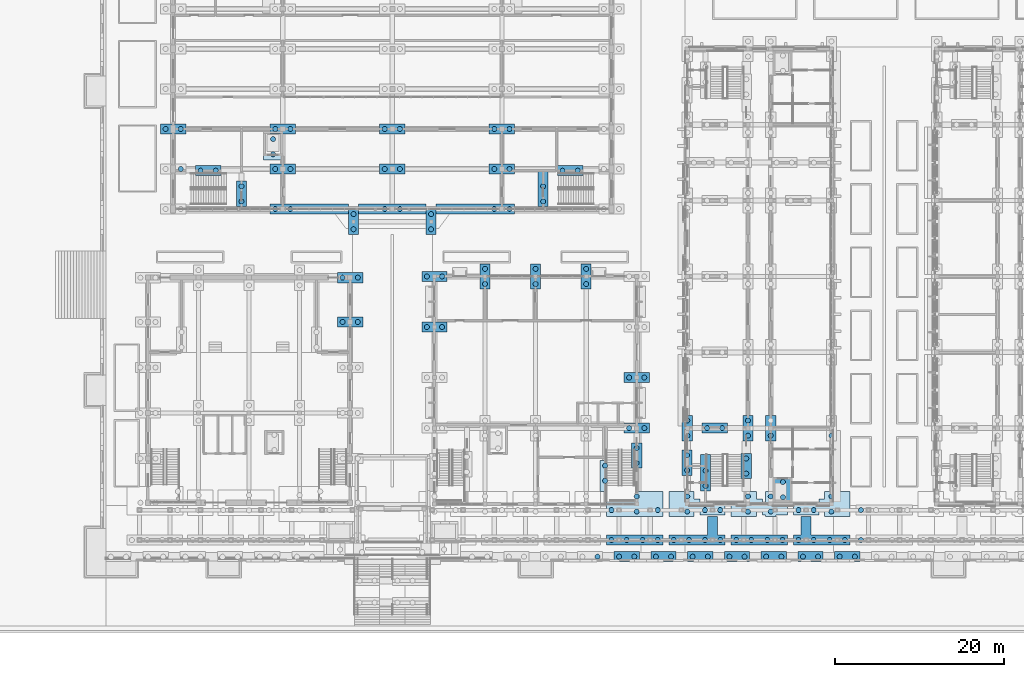
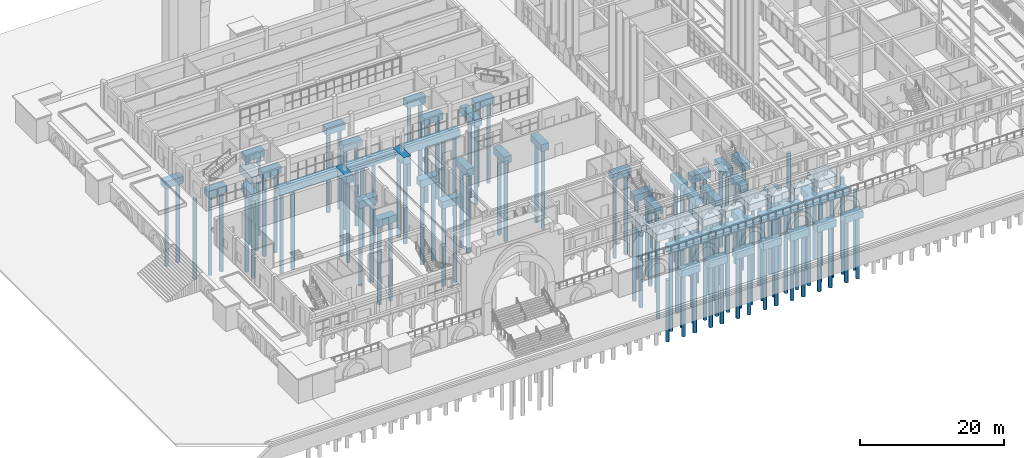
# One storey, part 2 of 161: 122 piles, 50 footings.
"""IFC4 building model written with IfcOpenShell, lengths in metres."""

from ifc_helpers import new_model, si_unit, direction, frame, origin, origin_2d, place, context, subcontext, project, spatial, polyline, rectangle, circle, outline, extrude, material, material_profile, profile_set, type_object, element, save


model = new_model("IFC4")

# Units and contexts
model_context = context("Model", 3, precision=1e-05, world=origin(), true_north=direction((0.0, 1.0)))
body_context = subcontext(model_context, "Body", "Model", "MODEL_VIEW")
ifc_project = project(units=[si_unit("LENGTHUNIT", "METRE"), si_unit("AREAUNIT", "SQUARE_METRE"), si_unit("VOLUMEUNIT", "CUBIC_METRE"), si_unit("PLANEANGLEUNIT", "RADIAN"), si_unit("MASSUNIT", "GRAM", prefix="KILO")], contexts=[model_context])

# Site, building, storey
site_placement = place(None, origin())
site = spatial("IfcSite", under=ifc_project, at=site_placement, CompositionType="ELEMENT")
building_placement = place(site_placement, origin())
building = spatial("IfcBuilding", under=site, at=building_placement, Name="Elbe Cascade School", CompositionType="ELEMENT")
storey_placement = place(building_placement, origin())
storey = spatial("IfcBuildingStorey", under=building, at=storey_placement, Name="L00", CompositionType="ELEMENT", Elevation=0.0)

# Piles
ifc_material_1 = material(Name="Concrete C35/45", Category="concrete")
ifc_material_profile = material_profile(ifc_material_1, circle(Radius=0.300048828125, at=origin_2d()), Name="RC D600")
ifc_profile_set = profile_set([ifc_material_profile], Name="Concrete C35/45")
pile_type = type_object("IfcPileType", Name="Found bored pile RC D600", PredefinedType="BORED", material=ifc_profile_set)
for number, where, z_axis, x_axis, name in (
    (1, (58.348388671875, -0.25, -4.5), (0.0, 0.0, -1.0), (1.0, 0.0, 0.0), "Pile 010-2"),
    (2, (60.910400390625, -0.25, -4.5), (0.0, 0.0, -1.0), (1.0, 0.0, 0.0), "Pile 011-1"),
    (3, (62.71044921875, -0.25, -4.5), (0.0, 0.0, -1.0), (1.0, 0.0, 0.0), "Pile 011-2"),
    (4, (65.2724609375, -0.25, -4.5), (0.0, 0.0, -1.0), (1.0, 0.0, 0.0), "Pile 012-1"),
    (5, (67.072509765625, -0.25, -4.5), (0.0, 0.0, -1.0), (1.0, 0.0, 0.0), "Pile 012-2"),
    (6, (69.634521484375, -0.25, -4.5), (0.0, 0.0, -1.0), (1.0, 0.0, 0.0), "Pile 013-1"),
    (7, (71.4345703125, -0.25, -4.5), (0.0, 0.0, -1.0), (1.0, 0.0, 0.0), "Pile 013-2"),
    (8, (73.99658203125, -0.25, -4.5), (0.0, 0.0, -1.0), (1.0, 0.0, 0.0), "Pile 014-1"),
    (9, (75.796630859375, -0.25, -4.5), (0.0, 0.0, -1.0), (1.0, 0.0, 0.0), "Pile 014-2"),
    (10, (78.358642578125, -0.25, -4.5), (0.0, 0.0, -1.0), (1.0, 0.0, 0.0), "Pile 015-1"),
    (11, (80.15869140625, -0.25, -4.5), (0.0, 0.0, -1.0), (1.0, 0.0, 0.0), "Pile 015-2"),
    (12, (82.720703125, -0.25, -4.5), (0.0, 0.0, -1.0), (1.0, 0.0, 0.0), "Pile 016-1"),
    (13, (84.520751953125, -0.25, -4.5), (0.0, 0.0, -1.0), (1.0, 0.0, 0.0), "Pile 016-2"),
    (14, (87.082763671875, -0.25, -4.5), (0.0, 0.0, -1.0), (1.0, 0.0, 0.0), "Pile 017-1"),
    (15, (88.8828125, -0.25, -4.5), (0.0, 0.0, -1.0), (1.0, 0.0, 0.0), "Pile 017-2"),
):
    element("IfcPile", number, at=place(storey_placement, frame(where, z_axis=z_axis, x_axis=x_axis)), inside=storey, type_object=pile_type, Name=name, PredefinedType="BORED", context=body_context, shape_type="SweptSolid", body=[
        extrude(circle(Radius=0.300048828125, at=origin_2d()), origin(), (0.0, 0.0, 1.0), 10.5),
    ])
for number, where, z_axis, x_axis, name in (
    (16, (80.35009765625, 6.800048828125, -3.199951171875), (0.0, 0.0, -1.0), (1.0, 0.0, 0.0), "Pile 036-1"),
    (17, (80.35009765625, 8.60009765625, -3.199951171875), (0.0, 0.0, -1.0), (1.0, 0.0, 0.0), "Pile 036-2"),
):
    element("IfcPile", number, at=place(storey_placement, frame(where, z_axis=z_axis, x_axis=x_axis)), inside=storey, type_object=pile_type, Name=name, PredefinedType="BORED", context=body_context, shape_type="SweptSolid", body=[
        extrude(circle(Radius=0.300048828125, at=origin_2d()), origin(), (0.0, 0.0, 1.0), 11.800048828125),
    ])
for number, where, z_axis, x_axis, name in (
    (18, (19.85009765625, 47.5, -3.0), (0.0, 0.0, -1.0), (1.0, 0.0, 0.0), "Pile 041-1"),
    (19, (19.85009765625, 49.300048828125, -3.0), (0.0, 0.0, -1.0), (1.0, 0.0, 0.0), "Pile 041-2"),
):
    element("IfcPile", number, at=place(storey_placement, frame(where, z_axis=z_axis, x_axis=x_axis)), inside=storey, type_object=pile_type, Name=name, PredefinedType="BORED", context=body_context, shape_type="SweptSolid", body=[
        extrude(circle(Radius=0.300048828125, at=origin_2d()), origin(), (0.0, 0.0, 1.0), 12.0),
    ])
for number, where, z_axis, x_axis, name in (
    (20, (8.89990234375, 45.75, -1.39990234375), (0.0, 0.0, -1.0), (1.0, 0.0, 0.0), "Pile 051-2"),
    (21, (7.10009765625, 50.5, -1.39990234375), (0.0, 0.0, -1.0), (1.0, 0.0, 0.0), "Pile 052-1"),
    (22, (8.89990234375, 50.5, -1.39990234375), (0.0, 0.0, -1.0), (1.0, 0.0, 0.0), "Pile 052-2"),
    (23, (11.25, 45.550048828125, -1.39990234375), (0.0, 0.0, -1.0), (1.0, 0.0, 0.0), "Pile 061-1"),
    (24, (13.050048828125, 45.550048828125, -1.39990234375), (0.0, 0.0, -1.0), (1.0, 0.0, 0.0), "Pile 061-2"),
    (25, (16.10009765625, 41.89990234375, -1.39990234375), (0.0, 0.0, -1.0), (1.0, 0.0, 0.0), "Pile 063-1"),
    (26, (16.10009765625, 43.699951171875, -1.39990234375), (0.0, 0.0, -1.0), (1.0, 0.0, 0.0), "Pile 063-2"),
    (27, (20.10009765625, 45.75, -1.39990234375), (0.0, 0.0, -1.0), (1.0, 0.0, 0.0), "Pile 066-1"),
    (28, (21.89990234375, 45.75, -1.39990234375), (0.0, 0.0, -1.0), (1.0, 0.0, 0.0), "Pile 066-2"),
    (29, (20.10009765625, 50.5, -1.39990234375), (0.0, 0.0, -1.0), (1.0, 0.0, 0.0), "Pile 067-1"),
    (30, (21.89990234375, 50.5, -1.39990234375), (0.0, 0.0, -1.0), (1.0, 0.0, 0.0), "Pile 067-2"),
    (31, (28.10009765625, 27.60009765625, -1.39990234375), (0.0, 0.0, -1.0), (1.0, 0.0, 0.0), "Pile 080-1"),
    (32, (29.89990234375, 27.60009765625, -1.39990234375), (0.0, 0.0, -1.0), (1.0, 0.0, 0.0), "Pile 080-2"),
    (33, (28.10009765625, 32.85009765625, -1.39990234375), (0.0, 0.0, -1.0), (1.0, 0.0, 0.0), "Pile 081-1"),
    (34, (29.89990234375, 32.85009765625, -1.39990234375), (0.0, 0.0, -1.0), (1.0, 0.0, 0.0), "Pile 081-2"),
    (35, (33.10009765625, 45.75, -1.39990234375), (0.0, 0.0, -1.0), (1.0, 0.0, 0.0), "Pile 082-1"),
    (36, (34.89990234375, 45.75, -1.39990234375), (0.0, 0.0, -1.0), (1.0, 0.0, 0.0), "Pile 082-2"),
    (37, (33.10009765625, 50.5, -1.39990234375), (0.0, 0.0, -1.0), (1.0, 0.0, 0.0), "Pile 083-1"),
    (38, (34.89990234375, 50.5, -1.39990234375), (0.0, 0.0, -1.0), (1.0, 0.0, 0.0), "Pile 083-2"),
    (39, (38.10009765625, 27.0, -1.39990234375), (0.0, 0.0, -1.0), (1.0, 0.0, 0.0), "Pile 092-1"),
    (40, (39.89990234375, 27.0, -1.39990234375), (0.0, 0.0, -1.0), (1.0, 0.0, 0.0), "Pile 092-2"),
    (41, (38.10009765625, 33.0, -1.39990234375), (0.0, 0.0, -1.0), (1.0, 0.0, 0.0), "Pile 093-1"),
    (42, (39.89990234375, 33.0, -1.39990234375), (0.0, 0.0, -1.0), (1.0, 0.0, 0.0), "Pile 093-2"),
    (43, (45.0, 32.10009765625, -1.39990234375), (0.0, 0.0, -1.0), (1.0, 0.0, 0.0), "Pile 098-1"),
    (44, (45.0, 33.89990234375, -1.39990234375), (0.0, 0.0, -1.0), (1.0, 0.0, 0.0), "Pile 098-2"),
    (45, (46.10009765625, 45.75, -1.39990234375), (0.0, 0.0, -1.0), (1.0, 0.0, 0.0), "Pile 099-1"),
    (46, (47.89990234375, 45.75, -1.39990234375), (0.0, 0.0, -1.0), (1.0, 0.0, 0.0), "Pile 099-2"),
    (47, (46.10009765625, 50.5, -1.39990234375), (0.0, 0.0, -1.0), (1.0, 0.0, 0.0), "Pile 100-1"),
    (48, (47.89990234375, 50.5, -1.39990234375), (0.0, 0.0, -1.0), (1.0, 0.0, 0.0), "Pile 100-2"),
    (49, (51.0, 32.10009765625, -1.39990234375), (0.0, 0.0, -1.0), (1.0, 0.0, 0.0), "Pile 107-1"),
    (50, (51.0, 33.89990234375, -1.39990234375), (0.0, 0.0, -1.0), (1.0, 0.0, 0.0), "Pile 107-2"),
    (51, (54.199951171875, 45.550048828125, -1.39990234375), (0.0, 0.0, -1.0), (1.0, 0.0, 0.0), "Pile 108-1"),
    (52, (56.0, 45.550048828125, -1.39990234375), (0.0, 0.0, -1.0), (1.0, 0.0, 0.0), "Pile 108-2"),
    (53, (57.0, 32.10009765625, -1.39990234375), (0.0, 0.0, -1.0), (1.0, 0.0, 0.0), "Pile 111-1"),
    (54, (57.0, 33.89990234375, -1.39990234375), (0.0, 0.0, -1.0), (1.0, 0.0, 0.0), "Pile 111-2"),
    (55, (62.10009765625, 15.0, -1.39990234375), (0.0, 0.0, -1.0), (1.0, 0.0, 0.0), "Pile 119-1"),
    (56, (63.89990234375, 15.0, -1.39990234375), (0.0, 0.0, -1.0), (1.0, 0.0, 0.0), "Pile 119-2"),
    (57, (62.10009765625, 21.0, -1.39990234375), (0.0, 0.0, -1.0), (1.0, 0.0, 0.0), "Pile 120-1"),
    (58, (63.89990234375, 21.0, -1.39990234375), (0.0, 0.0, -1.0), (1.0, 0.0, 0.0), "Pile 120-2"),
    (59, (63.0, 10.85009765625, -1.39990234375), (0.0, 0.0, -1.0), (1.0, 0.0, 0.0), "Pile 123-1"),
    (60, (63.0, 12.64990234375, -1.39990234375), (0.0, 0.0, -1.0), (1.0, 0.0, 0.0), "Pile 123-2"),
    (61, (68.97998046875, 9.989990234375, -1.39990234375), (0.0, 0.0, -1.0), (1.0, 0.0, 0.0), "Pile 124-1"),
    (62, (68.97998046875, 11.7900390625, -1.39990234375), (0.0, 0.0, -1.0), (1.0, 0.0, 0.0), "Pile 124-2"),
    (63, (69.0, 14.10009765625, -1.39990234375), (0.0, 0.0, -1.0), (1.0, 0.0, 0.0), "Pile 126-1"),
    (64, (69.0, 15.89990234375, -1.39990234375), (0.0, 0.0, -1.0), (1.0, 0.0, 0.0), "Pile 126-2"),
    (65, (71.35009765625, 15.0, -1.39990234375), (0.0, 0.0, -1.0), (1.0, 0.0, 0.0), "Pile 133-1"),
    (66, (73.14990234375, 15.0, -1.39990234375), (0.0, 0.0, -1.0), (1.0, 0.0, 0.0), "Pile 133-2"),
    (67, (76.0, 9.60009765625, -1.39990234375), (0.0, 0.0, -1.0), (1.0, 0.0, 0.0), "Pile 139-1"),
    (68, (76.0, 11.39990234375, -1.39990234375), (0.0, 0.0, -1.0), (1.0, 0.0, 0.0), "Pile 139-2"),
    (69, (76.199951171875, 14.10009765625, -1.39990234375), (0.0, 0.0, -1.0), (1.0, 0.0, 0.0), "Pile 141-1"),
    (70, (76.199951171875, 15.89990234375, -1.39990234375), (0.0, 0.0, -1.0), (1.0, 0.0, 0.0), "Pile 141-2"),
    (71, (78.89990234375, 14.10009765625, -1.39990234375), (0.0, 0.0, -1.0), (1.0, 0.0, 0.0), "Pile 147-1"),
    (72, (86.10009765625, 14.10009765625, -1.39990234375), (0.0, 0.0, -1.0), (1.0, 0.0, 0.0), "Pile 156-1"),
):
    element("IfcPile", number, at=place(storey_placement, frame(where, z_axis=z_axis, x_axis=x_axis)), inside=storey, type_object=pile_type, Name=name, PredefinedType="BORED", context=body_context, shape_type="SweptSolid", body=[
        extrude(circle(Radius=0.300048828125, at=origin_2d()), origin(), (0.0, 0.0, 1.0), 13.60009765625),
    ])
for number, where, z_axis, x_axis, name in (
    (73, (29.39990234375, 38.60009765625, -1.10009765625), (0.0, 0.0, -1.0), (1.0, 0.0, 0.0), "Pile 258-1"),
    (74, (29.39990234375, 40.39990234375, -1.10009765625), (0.0, 0.0, -1.0), (1.0, 0.0, 0.0), "Pile 258-2"),
    (75, (38.60009765625, 38.60009765625, -1.10009765625), (0.0, 0.0, -1.0), (1.0, 0.0, 0.0), "Pile 259-1"),
    (76, (38.60009765625, 40.39990234375, -1.10009765625), (0.0, 0.0, -1.0), (1.0, 0.0, 0.0), "Pile 259-2"),
):
    element("IfcPile", number, at=place(storey_placement, frame(where, z_axis=z_axis, x_axis=x_axis)), inside=storey, type_object=pile_type, Name=name, PredefinedType="BORED", context=body_context, shape_type="SweptSolid", body=[
        extrude(circle(Radius=0.300048828125, at=origin_2d()), origin(), (0.0, 0.0, 1.0), 13.89990234375),
    ])
for number, where, z_axis, x_axis, name in (
    (77, (69.0, 5.10009765625, -1.39990234375), (0.0, 0.0, -1.0), (1.0, 0.0, 0.0), "Pile 272-1"),
    (78, (69.0, 6.89990234375, -1.39990234375), (0.0, 0.0, -1.0), (1.0, 0.0, 0.0), "Pile 272-2"),
    (79, (71.10009765625, 5.27490234375, -1.39990234375), (0.0, 0.0, -1.0), (1.0, 0.0, 0.0), "Pile 272-3"),
    (80, (72.89990234375, 5.27490234375, -1.39990234375), (0.0, 0.0, -1.0), (1.0, 0.0, 0.0), "Pile 272-4"),
    (81, (76.199951171875, 5.10009765625, -1.39990234375), (0.0, 0.0, -1.0), (1.0, 0.0, 0.0), "Pile 273-1"),
    (82, (76.199951171875, 6.89990234375, -1.39990234375), (0.0, 0.0, -1.0), (1.0, 0.0, 0.0), "Pile 273-2"),
    (83, (78.89990234375, 5.10009765625, -1.39990234375), (0.0, 0.0, -1.0), (1.0, 0.0, 0.0), "Pile 273-3"),
    (84, (78.89990234375, 6.89990234375, -1.39990234375), (0.0, 0.0, -1.0), (1.0, 0.0, 0.0), "Pile 273-4"),
    (85, (82.199951171875, 5.27490234375, -1.39990234375), (0.0, 0.0, -1.0), (1.0, 0.0, 0.0), "Pile 274-1"),
    (86, (84.0, 5.27490234375, -1.39990234375), (0.0, 0.0, -1.0), (1.0, 0.0, 0.0), "Pile 274-2"),
    (87, (86.10009765625, 5.10009765625, -1.39990234375), (0.0, 0.0, -1.0), (1.0, 0.0, 0.0), "Pile 274-3"),
    (88, (86.10009765625, 6.89990234375, -1.39990234375), (0.0, 0.0, -1.0), (1.0, 0.0, 0.0), "Pile 274-4"),
    (89, (59.25, 8.75, -1.39990234375), (0.0, 0.0, -1.0), (1.0, 0.0, 0.0), "Pile 275-1"),
    (90, (59.25, 10.550048828125, -1.39990234375), (0.0, 0.0, -1.0), (1.0, 0.0, 0.0), "Pile 275-2"),
    (91, (60.0, 5.27490234375, -1.39990234375), (0.0, 0.0, -1.0), (1.0, 0.0, 0.0), "Pile 275-3"),
    (92, (63.0, 5.10009765625, -1.39990234375), (0.0, 0.0, -1.0), (1.0, 0.0, 0.0), "Pile 275-4"),
    (93, (63.0, 6.89990234375, -1.39990234375), (0.0, 0.0, -1.0), (1.0, 0.0, 0.0), "Pile 275-5"),
    (94, (65.5, 5.27490234375, -1.39990234375), (0.0, 0.0, -1.0), (1.0, 0.0, 0.0), "Pile 275-6"),
    (95, (60.0, 1.72509765625, -1.39990234375), (0.0, 0.0, -1.0), (1.0, 0.0, 0.0), "Pile 281-1"),
    (96, (61.800048828125, 1.72509765625, -1.39990234375), (0.0, 0.0, -1.0), (1.0, 0.0, 0.0), "Pile 281-2"),
    (97, (63.699951171875, 1.72509765625, -1.39990234375), (0.0, 0.0, -1.0), (1.0, 0.0, 0.0), "Pile 281-3"),
    (98, (65.5, 1.72509765625, -1.39990234375), (0.0, 0.0, -1.0), (1.0, 0.0, 0.0), "Pile 281-4"),
    (99, (74.800048828125, 1.72509765625, -1.39990234375), (0.0, 0.0, -1.0), (1.0, 0.0, 0.0), "Pile 282-1"),
    (100, (76.60009765625, 1.72509765625, -1.39990234375), (0.0, 0.0, -1.0), (1.0, 0.0, 0.0), "Pile 282-2"),
    (101, (78.5, 1.72509765625, -1.39990234375), (0.0, 0.0, -1.0), (1.0, 0.0, 0.0), "Pile 282-3"),
    (102, (80.300048828125, 1.72509765625, -1.39990234375), (0.0, 0.0, -1.0), (1.0, 0.0, 0.0), "Pile 282-4"),
    (103, (89.60009765625, 1.72509765625, -1.39990234375), (0.0, 0.0, -1.0), (1.0, 0.0, 0.0), "Pile 283-1"),
    (104, (89.60009765625, 5.27490234375, -1.39990234375), (0.0, 0.0, -1.0), (1.0, 0.0, 0.0), "Pile 289-1"),
    (105, (71.175048828125, 8.139892578125, -1.39990234375), (0.0, 0.0, -1.0), (1.0, 0.0, 0.0), "Pile 302-1"),
    (106, (71.175048828125, 9.93994140625, -1.39990234375), (0.0, 0.0, -1.0), (1.0, 0.0, 0.0), "Pile 302-2"),
    (107, (51.89990234375, 41.89990234375, -1.39990234375), (0.0, 0.0, -1.0), (1.0, 0.0, 0.0), "Pile 307-1"),
    (108, (51.89990234375, 43.699951171875, -1.39990234375), (0.0, 0.0, -1.0), (1.0, 0.0, 0.0), "Pile 307-2"),
    (109, (20.10009765625, 41.0, -1.39990234375), (0.0, 0.0, -1.0), (1.0, 0.0, 0.0), "Pile 308-1"),
    (110, (21.89990234375, 41.0, -1.39990234375), (0.0, 0.0, -1.0), (1.0, 0.0, 0.0), "Pile 308-2"),
    (111, (33.10009765625, 41.0, -1.39990234375), (0.0, 0.0, -1.0), (1.0, 0.0, 0.0), "Pile 309-1"),
    (112, (34.89990234375, 41.0, -1.39990234375), (0.0, 0.0, -1.0), (1.0, 0.0, 0.0), "Pile 309-2"),
    (113, (46.10009765625, 41.0, -1.39990234375), (0.0, 0.0, -1.0), (1.0, 0.0, 0.0), "Pile 310-1"),
    (114, (47.89990234375, 41.0, -1.39990234375), (0.0, 0.0, -1.0), (1.0, 0.0, 0.0), "Pile 310-2"),
    (115, (67.39990234375, 1.72509765625, -1.39990234375), (0.0, 0.0, -1.0), (1.0, 0.0, 0.0), "Pile 311-1"),
    (116, (69.199951171875, 1.72509765625, -1.39990234375), (0.0, 0.0, -1.0), (1.0, 0.0, 0.0), "Pile 311-2"),
    (117, (71.10009765625, 1.72509765625, -1.39990234375), (0.0, 0.0, -1.0), (1.0, 0.0, 0.0), "Pile 311-3"),
    (118, (72.89990234375, 1.72509765625, -1.39990234375), (0.0, 0.0, -1.0), (1.0, 0.0, 0.0), "Pile 311-4"),
    (119, (82.199951171875, 1.72509765625, -1.39990234375), (0.0, 0.0, -1.0), (1.0, 0.0, 0.0), "Pile 312-1"),
    (120, (84.0, 1.72509765625, -1.39990234375), (0.0, 0.0, -1.0), (1.0, 0.0, 0.0), "Pile 312-2"),
    (121, (85.89990234375, 1.72509765625, -1.39990234375), (0.0, 0.0, -1.0), (1.0, 0.0, 0.0), "Pile 312-3"),
    (122, (87.699951171875, 1.72509765625, -1.39990234375), (0.0, 0.0, -1.0), (1.0, 0.0, 0.0), "Pile 312-4"),
):
    element("IfcPile", number, at=place(storey_placement, frame(where, z_axis=z_axis, x_axis=x_axis)), inside=storey, type_object=pile_type, Name=name, PredefinedType="BORED", context=body_context, shape_type="SweptSolid", body=[
        extrude(circle(Radius=0.300048828125, at=origin_2d()), origin(), (0.0, 0.0, 1.0), 13.60009765625),
    ])

# Footings
ifc_material_2 = material(Name="Concrete C30/37", Category="concrete")
footing_type_1 = type_object("IfcFootingType", Name="Found pile cap 2 piles 3000x1200x1200", PredefinedType="PILE_CAP", material=ifc_material_2)
for number, where, z_axis, x_axis, name in (
    (123, (61.810302734375, -0.25, -4.60009765625), (0.0, 0.0, 1.0), (1.0, 0.0, 0.0), "Pile cap 011"),
    (124, (66.17236328125, -0.25, -4.60009765625), (0.0, 0.0, 1.0), (1.0, 0.0, 0.0), "Pile cap 012"),
    (125, (70.534423828125, -0.25, -4.60009765625), (0.0, 0.0, 1.0), (1.0, 0.0, 0.0), "Pile cap 013"),
    (126, (74.896484375, -0.25, -4.60009765625), (0.0, 0.0, 1.0), (1.0, 0.0, 0.0), "Pile cap 014"),
    (127, (79.258544921875, -0.25, -4.60009765625), (0.0, 0.0, 1.0), (1.0, 0.0, 0.0), "Pile cap 015"),
    (128, (83.62060546875, -0.25, -4.60009765625), (0.0, 0.0, 1.0), (1.0, 0.0, 0.0), "Pile cap 016"),
    (129, (87.982666015625, -0.25, -4.60009765625), (0.0, 0.0, 1.0), (1.0, 0.0, 0.0), "Pile cap 017"),
    (130, (8.0, 50.5, -1.5), (0.0, 0.0, 1.0), (1.0, 0.0, 0.0), "Pile cap 052"),
    (131, (12.14990234375, 45.550048828125, -1.5), (0.0, 0.0, 1.0), (1.0, 0.0, 0.0), "Pile cap 061"),
):
    element("IfcFooting", number, at=place(storey_placement, frame(where, z_axis=z_axis, x_axis=x_axis)), inside=storey, type_object=footing_type_1, Name=name, PredefinedType="PILE_CAP", context=body_context, shape_type="SweptSolid", body=[
        extrude(rectangle(XDim=3.0, YDim=1.199951171875, at=origin_2d()), origin(), (0.0, 0.0, 1.0), 1.199951171875),
    ])
footing_1_placement = place(storey_placement, frame((16.10009765625, 42.800048828125, -1.5), z_axis=(0.0, 0.0, 1.0), x_axis=(1.0, 0.0, 0.0)))
element("IfcFooting", 132, at=footing_1_placement, inside=storey, type_object=footing_type_1, Name="Pile cap 063", PredefinedType="PILE_CAP", context=body_context, shape_type="SweptSolid", body=[
    extrude(rectangle(XDim=1.199951171875, YDim=3.0, at=origin_2d()), origin(), (0.0, 0.0, 1.0), 1.199951171875),
])
for number, where, z_axis, x_axis, name in (
    (133, (21.0, 45.75, -1.5), (0.0, 0.0, 1.0), (1.0, 0.0, 0.0), "Pile cap 066"),
    (134, (21.0, 50.5, -1.5), (0.0, 0.0, 1.0), (1.0, 0.0, 0.0), "Pile cap 067"),
    (135, (29.0, 27.60009765625, -1.5), (0.0, 0.0, 1.0), (1.0, 0.0, 0.0), "Pile cap 080"),
    (136, (29.0, 32.85009765625, -1.5), (0.0, 0.0, 1.0), (1.0, 0.0, 0.0), "Pile cap 081"),
    (137, (34.0, 45.75, -1.5), (0.0, 0.0, 1.0), (1.0, 0.0, 0.0), "Pile cap 082"),
    (138, (34.0, 50.5, -1.5), (0.0, 0.0, 1.0), (1.0, 0.0, 0.0), "Pile cap 083"),
    (139, (39.0, 27.0, -1.5), (0.0, 0.0, 1.0), (1.0, 0.0, 0.0), "Pile cap 092"),
    (140, (39.0, 33.0, -1.5), (0.0, 0.0, 1.0), (1.0, 0.0, 0.0), "Pile cap 093"),
):
    element("IfcFooting", number, at=place(storey_placement, frame(where, z_axis=z_axis, x_axis=x_axis)), inside=storey, type_object=footing_type_1, Name=name, PredefinedType="PILE_CAP", context=body_context, shape_type="SweptSolid", body=[
        extrude(rectangle(XDim=3.0, YDim=1.199951171875, at=origin_2d()), origin(), (0.0, 0.0, 1.0), 1.199951171875),
    ])
footing_2_placement = place(storey_placement, frame((45.0, 33.0, -1.5), z_axis=(0.0, 0.0, 1.0), x_axis=(1.0, 0.0, 0.0)))
element("IfcFooting", 141, at=footing_2_placement, inside=storey, type_object=footing_type_1, Name="Pile cap 098", PredefinedType="PILE_CAP", context=body_context, shape_type="SweptSolid", body=[
    extrude(rectangle(XDim=1.199951171875, YDim=3.0, at=origin_2d()), origin(), (0.0, 0.0, 1.0), 1.199951171875),
])
for number, where, z_axis, x_axis, name in (
    (142, (47.0, 45.75, -1.5), (0.0, 0.0, 1.0), (1.0, 0.0, 0.0), "Pile cap 099"),
    (143, (47.0, 50.5, -1.5), (0.0, 0.0, 1.0), (1.0, 0.0, 0.0), "Pile cap 100"),
):
    element("IfcFooting", number, at=place(storey_placement, frame(where, z_axis=z_axis, x_axis=x_axis)), inside=storey, type_object=footing_type_1, Name=name, PredefinedType="PILE_CAP", context=body_context, shape_type="SweptSolid", body=[
        extrude(rectangle(XDim=3.0, YDim=1.199951171875, at=origin_2d()), origin(), (0.0, 0.0, 1.0), 1.199951171875),
    ])
footing_3_placement = place(storey_placement, frame((51.0, 33.0, -1.5), z_axis=(0.0, 0.0, 1.0), x_axis=(1.0, 0.0, 0.0)))
element("IfcFooting", 144, at=footing_3_placement, inside=storey, type_object=footing_type_1, Name="Pile cap 107", PredefinedType="PILE_CAP", context=body_context, shape_type="SweptSolid", body=[
    extrude(rectangle(XDim=1.199951171875, YDim=3.0, at=origin_2d()), origin(), (0.0, 0.0, 1.0), 1.199951171875),
])
footing_4_placement = place(storey_placement, frame((55.10009765625, 45.550048828125, -1.5), z_axis=(0.0, 0.0, 1.0), x_axis=(1.0, 0.0, 0.0)))
element("IfcFooting", 145, at=footing_4_placement, inside=storey, type_object=footing_type_1, Name="Pile cap 108", PredefinedType="PILE_CAP", context=body_context, shape_type="SweptSolid", body=[
    extrude(rectangle(XDim=3.0, YDim=1.199951171875, at=origin_2d()), origin(), (0.0, 0.0, 1.0), 1.199951171875),
])
footing_5_placement = place(storey_placement, frame((57.0, 33.0, -1.5), z_axis=(0.0, 0.0, 1.0), x_axis=(1.0, 0.0, 0.0)))
element("IfcFooting", 146, at=footing_5_placement, inside=storey, type_object=footing_type_1, Name="Pile cap 111", PredefinedType="PILE_CAP", context=body_context, shape_type="SweptSolid", body=[
    extrude(rectangle(XDim=1.199951171875, YDim=3.0, at=origin_2d()), origin(), (0.0, 0.0, 1.0), 1.199951171875),
])
for number, where, z_axis, x_axis, name in (
    (147, (63.0, 15.0, -1.5), (0.0, 0.0, 1.0), (1.0, 0.0, 0.0), "Pile cap 119"),
    (148, (63.0, 21.0, -1.5), (0.0, 0.0, 1.0), (1.0, 0.0, 0.0), "Pile cap 120"),
):
    element("IfcFooting", number, at=place(storey_placement, frame(where, z_axis=z_axis, x_axis=x_axis)), inside=storey, type_object=footing_type_1, Name=name, PredefinedType="PILE_CAP", context=body_context, shape_type="SweptSolid", body=[
        extrude(rectangle(XDim=3.0, YDim=1.199951171875, at=origin_2d()), origin(), (0.0, 0.0, 1.0), 1.199951171875),
    ])
for number, where, z_axis, x_axis, name in (
    (149, (63.0, 11.75, -1.5), (0.0, 0.0, 1.0), (1.0, 0.0, 0.0), "Pile cap 123"),
    (150, (68.97998046875, 10.889892578125, -1.5), (0.0, 0.0, 1.0), (1.0, 0.0, 0.0), "Pile cap 124"),
    (151, (69.0, 15.0, -1.5), (0.0, 0.0, 1.0), (1.0, 0.0, 0.0), "Pile cap 126"),
):
    element("IfcFooting", number, at=place(storey_placement, frame(where, z_axis=z_axis, x_axis=x_axis)), inside=storey, type_object=footing_type_1, Name=name, PredefinedType="PILE_CAP", context=body_context, shape_type="SweptSolid", body=[
        extrude(rectangle(XDim=1.199951171875, YDim=3.0, at=origin_2d()), origin(), (0.0, 0.0, 1.0), 1.199951171875),
    ])
footing_6_placement = place(storey_placement, frame((72.25, 15.0, -1.5), z_axis=(0.0, 0.0, 1.0), x_axis=(1.0, 0.0, 0.0)))
element("IfcFooting", 152, at=footing_6_placement, inside=storey, type_object=footing_type_1, Name="Pile cap 133", PredefinedType="PILE_CAP", context=body_context, shape_type="SweptSolid", body=[
    extrude(rectangle(XDim=3.0, YDim=1.199951171875, at=origin_2d()), origin(), (0.0, 0.0, 1.0), 1.199951171875),
])
for number, where, z_axis, x_axis, name in (
    (153, (76.0, 10.5, -1.5), (0.0, 0.0, 1.0), (1.0, 0.0, 0.0), "Pile cap 139"),
    (154, (76.199951171875, 15.0, -1.5), (0.0, 0.0, 1.0), (1.0, 0.0, 0.0), "Pile cap 141"),
    (155, (78.89990234375, 15.0, -1.5), (0.0, 0.0, 1.0), (1.0, 0.0, 0.0), "Pile cap 147"),
    (156, (29.39990234375, 39.5, -1.2001953125), (0.0, 0.0, 1.0), (1.0, 0.0, 0.0), "Pile cap 258"),
    (157, (38.60009765625, 39.5, -1.2001953125), (0.0, 0.0, 1.0), (1.0, 0.0, 0.0), "Pile cap 259"),
):
    element("IfcFooting", number, at=place(storey_placement, frame(where, z_axis=z_axis, x_axis=x_axis)), inside=storey, type_object=footing_type_1, Name=name, PredefinedType="PILE_CAP", context=body_context, shape_type="SweptSolid", body=[
        extrude(rectangle(XDim=1.199951171875, YDim=3.0, at=origin_2d()), origin(), (0.0, 0.0, 1.0), 1.199951171875),
    ])
ifc_material_3 = material(Name="Concrete C30/37", Category="concrete")
footing_type_2 = type_object("IfcFootingType", Name="Found pile cap 2 piles 4150x1200x1200", PredefinedType="PILE_CAP", material=ifc_material_3)
footing_7_placement = place(storey_placement, frame((51.89990234375, 43.375, -1.5), z_axis=(0.0, 0.0, 1.0), x_axis=(1.0, 0.0, 0.0)))
element("IfcFooting", 158, at=footing_7_placement, inside=storey, type_object=footing_type_2, Name="Pile cap 307", PredefinedType="PILE_CAP", context=body_context, shape_type="SweptSolid", body=[
    extrude(rectangle(XDim=1.199951171875, YDim=4.14990234375, at=origin_2d()), origin(), (0.0, 0.0, 1.0), 1.199951171875),
])
ifc_material_4 = material(Name="Concrete C30/37", Category="concrete")
footing_type_3 = type_object("IfcFootingType", Name="Found pile cap 2 piles 4360x1200x1200", PredefinedType="PILE_CAP", material=ifc_material_4)
footing_8_placement = place(storey_placement, frame((71.175048828125, 9.719970703125, -1.5), z_axis=(0.0, 0.0, 1.0), x_axis=(1.0, 0.0, 0.0)))
element("IfcFooting", 159, at=footing_8_placement, inside=storey, type_object=footing_type_3, Name="Pile cap 302", PredefinedType="PILE_CAP", context=body_context, shape_type="SweptSolid", body=[
    extrude(rectangle(XDim=1.199951171875, YDim=4.360107421875, at=origin_2d()), origin(), (0.0, 0.0, 1.0), 1.199951171875),
])
ifc_material_5 = material(Name="Concrete C30/37", Category="concrete")
footing_type_4 = type_object("IfcFootingType", Name="Found pile cap 2 piles 8000x1200x1200", PredefinedType="PILE_CAP", material=ifc_material_5)
footing_9_placement = place(storey_placement, frame((34.0, 41.0, -1.5), z_axis=(0.0, 0.0, 1.0), x_axis=(1.0, 0.0, 0.0)))
element("IfcFooting", 160, at=footing_9_placement, inside=storey, type_object=footing_type_4, Name="Pile cap 309", PredefinedType="PILE_CAP", context=body_context, shape_type="SweptSolid", body=[
    extrude(rectangle(XDim=8.0, YDim=1.199951171875, at=origin_2d()), origin(), (0.0, 0.0, 1.0), 1.199951171875),
])
ifc_material_6 = material(Name="Concrete C30/37", Category="concrete")
footing_type_5 = type_object("IfcFootingType", Name="Found pile cap 2 piles 9300x1200x1200", PredefinedType="PILE_CAP", material=ifc_material_6)
for number, where, z_axis, x_axis, name in (
    (161, (24.14990234375, 41.0, -1.5), (0.0, 0.0, 1.0), (1.0, 0.0, 0.0), "Pile cap 308"),
    (162, (43.85009765625, 41.0, -1.5), (0.0, 0.0, 1.0), (1.0, 0.0, 0.0), "Pile cap 310"),
):
    element("IfcFooting", number, at=place(storey_placement, frame(where, z_axis=z_axis, x_axis=x_axis)), inside=storey, type_object=footing_type_5, Name=name, PredefinedType="PILE_CAP", context=body_context, shape_type="SweptSolid", body=[
        extrude(rectangle(XDim=9.300048828125, YDim=1.199951171875, at=origin_2d()), origin(), (0.0, 0.0, 1.0), 1.199951171875),
    ])
ifc_material_7 = material(Name="Concrete C30/37", Category="concrete")
footing_type_6 = type_object("IfcFootingType", Name="Found pile cap 4 piles 6700x1200x1200", PredefinedType="PILE_CAP", material=ifc_material_7)
for number, where, z_axis, x_axis, name in (
    (163, (62.75, 1.72509765625, -1.5), (0.0, 0.0, 1.0), (1.0, 0.0, 0.0), "Pile cap 281"),
    (164, (77.550048828125, 1.72509765625, -1.5), (0.0, 0.0, 1.0), (1.0, 0.0, 0.0), "Pile cap 282"),
):
    element("IfcFooting", number, at=place(storey_placement, frame(where, z_axis=z_axis, x_axis=x_axis)), inside=storey, type_object=footing_type_6, Name=name, PredefinedType="PILE_CAP", context=body_context, shape_type="SweptSolid", body=[
        extrude(rectangle(XDim=6.699951171875, YDim=1.199951171875, at=origin_2d()), origin(), (0.0, 0.0, 1.0), 1.199951171875),
    ])
ifc_material_8 = material(Name="Concrete C30/37", Category="concrete")
footing_type_7 = type_object("IfcFootingType", Name="Found pile cap merged 1200", PredefinedType="PILE_CAP", material=ifc_material_8)
footing_10_placement = place(storey_placement, frame((0.0, 0.0, -3.300048828125)))
element("IfcFooting", 165, at=footing_10_placement, inside=storey, type_object=footing_type_7, Name="Pile cap 036", PredefinedType="PILE_CAP", context=body_context, shape_type="SweptSolid", body=[
    extrude(outline(polyline([(79.14990234375, 9.14990234375), (81.449951171875, 9.14990234375), (81.449951171875, 6.25), (79.5, 6.25), (79.5, 7.5), (79.14990234375, 7.5), (79.14990234375, 9.14990234375)])), origin(), (0.0, 0.0, 1.0), 1.199951171875),
])
footing_11_placement = place(storey_placement, frame((0.0, 0.0, -3.10009765625)))
element("IfcFooting", 166, at=footing_11_placement, inside=storey, type_object=footing_type_7, Name="Pile cap 041", PredefinedType="PILE_CAP", context=body_context, shape_type="SweptSolid", body=[
    extrude(outline(polyline([(21.0, 46.800048828125), (18.699951171875, 46.800048828125), (18.699951171875, 50.199951171875), (19.5, 50.199951171875), (19.5, 49.89990234375), (21.0, 49.89990234375), (21.0, 46.800048828125)])), origin(), (0.0, 0.0, 1.0), 1.2001953125),
])
footing_12_placement = place(storey_placement, frame((0.0, 0.0, -1.5)))
element("IfcFooting", 167, at=footing_12_placement, inside=storey, type_object=footing_type_7, Name="Pile cap 272", PredefinedType="PILE_CAP", context=body_context, shape_type="SweptSolid", body=[
    extrude(outline(polyline([(73.5, 5.875), (73.5, 4.675048828125), (70.5, 4.675048828125), (70.5, 5.3798828125), (69.800048828125, 5.3798828125), (69.800048828125, 4.5), (66.800048828125, 4.5), (66.800048828125, 7.5), (69.800048828125, 7.5), (69.800048828125, 6.580078125), (70.5, 6.580078125), (70.5, 5.875), (73.5, 5.875)])), origin(), (0.0, 0.0, 1.0), 1.199951171875),
])
footing_13_placement = place(storey_placement, frame((0.0, 0.0, -1.5)))
element("IfcFooting", 168, at=footing_13_placement, inside=storey, type_object=footing_type_7, Name="Pile cap 273", PredefinedType="PILE_CAP", context=body_context, shape_type="SweptSolid", body=[
    extrude(outline(polyline([(77.89990234375, 5.875), (78.300048828125, 5.875), (78.300048828125, 7.5), (79.5, 7.5), (79.5, 5.875), (80.89990234375, 5.875), (80.89990234375, 4.675048828125), (79.5, 4.675048828125), (79.5, 4.5), (78.300048828125, 4.5), (78.300048828125, 4.675048828125), (77.89990234375, 4.675048828125), (77.89990234375, 5.3798828125), (77.199951171875, 5.3798828125), (77.199951171875, 4.5), (74.199951171875, 4.5), (74.199951171875, 7.5), (77.199951171875, 7.5), (77.199951171875, 6.580078125), (77.89990234375, 6.580078125), (77.89990234375, 5.875)])), origin(), (0.0, 0.0, 1.0), 1.199951171875),
])
footing_14_placement = place(storey_placement, frame((0.0, 0.0, -1.5)))
element("IfcFooting", 169, at=footing_14_placement, inside=storey, type_object=footing_type_7, Name="Pile cap 274", PredefinedType="PILE_CAP", context=body_context, shape_type="SweptSolid", body=[
    extrude(outline(polyline([(84.60009765625, 4.675048828125), (81.60009765625, 4.675048828125), (81.60009765625, 5.875), (84.60009765625, 5.875), (84.60009765625, 6.580078125), (85.300048828125, 6.580078125), (85.300048828125, 7.5), (88.300048828125, 7.5), (88.300048828125, 4.5), (85.300048828125, 4.5), (85.300048828125, 5.3798828125), (84.60009765625, 5.3798828125), (84.60009765625, 4.675048828125)])), origin(), (0.0, 0.0, 1.0), 1.199951171875),
])
footing_15_placement = place(storey_placement, frame((0.0, 0.0, -1.5)))
element("IfcFooting", 170, at=footing_15_placement, inside=storey, type_object=footing_type_7, Name="Pile cap 275", PredefinedType="PILE_CAP", context=body_context, shape_type="SweptSolid", body=[
    extrude(outline(polyline([(66.10009765625, 7.5), (66.10009765625, 4.5), (59.39990234375, 4.5), (59.39990234375, 7.5), (58.64990234375, 7.5), (58.64990234375, 8.14990234375), (58.64990234375, 11.14990234375), (59.85009765625, 11.14990234375), (59.85009765625, 8.14990234375), (59.85009765625, 7.5), (66.10009765625, 7.5)])), origin(), (0.0, 0.0, 1.0), 1.199951171875),
])
footing_16_placement = place(storey_placement, frame((0.0, 0.0, -1.5)))
element("IfcFooting", 171, at=footing_16_placement, inside=storey, type_object=footing_type_7, Name="Pile cap 311", PredefinedType="PILE_CAP", context=body_context, shape_type="SweptSolid", body=[
    extrude(outline(polyline([(66.800048828125, 2.324951171875), (69.800048828125, 2.324951171875), (70.5, 2.324951171875), (71.39990234375, 2.324951171875), (71.39990234375, 4.5), (72.60009765625, 4.5), (72.60009765625, 2.324951171875), (73.5, 2.324951171875), (73.5, 1.125), (70.5, 1.125), (69.800048828125, 1.125), (66.800048828125, 1.125), (66.800048828125, 2.324951171875)])), origin(), (0.0, 0.0, 1.0), 1.199951171875),
])
footing_17_placement = place(storey_placement, frame((0.0, 0.0, -1.5)))
element("IfcFooting", 172, at=footing_17_placement, inside=storey, type_object=footing_type_7, Name="Pile cap 312", PredefinedType="PILE_CAP", context=body_context, shape_type="SweptSolid", body=[
    extrude(outline(polyline([(81.60009765625, 2.324951171875), (82.5, 2.324951171875), (82.5, 4.5), (83.699951171875, 4.5), (83.699951171875, 2.324951171875), (84.60009765625, 2.324951171875), (85.300048828125, 2.324951171875), (88.300048828125, 2.324951171875), (88.300048828125, 1.125), (85.300048828125, 1.125), (84.60009765625, 1.125), (81.60009765625, 1.125), (81.60009765625, 2.324951171875)])), origin(), (0.0, 0.0, 1.0), 1.199951171875),
])

save(model, "model.ifc")
